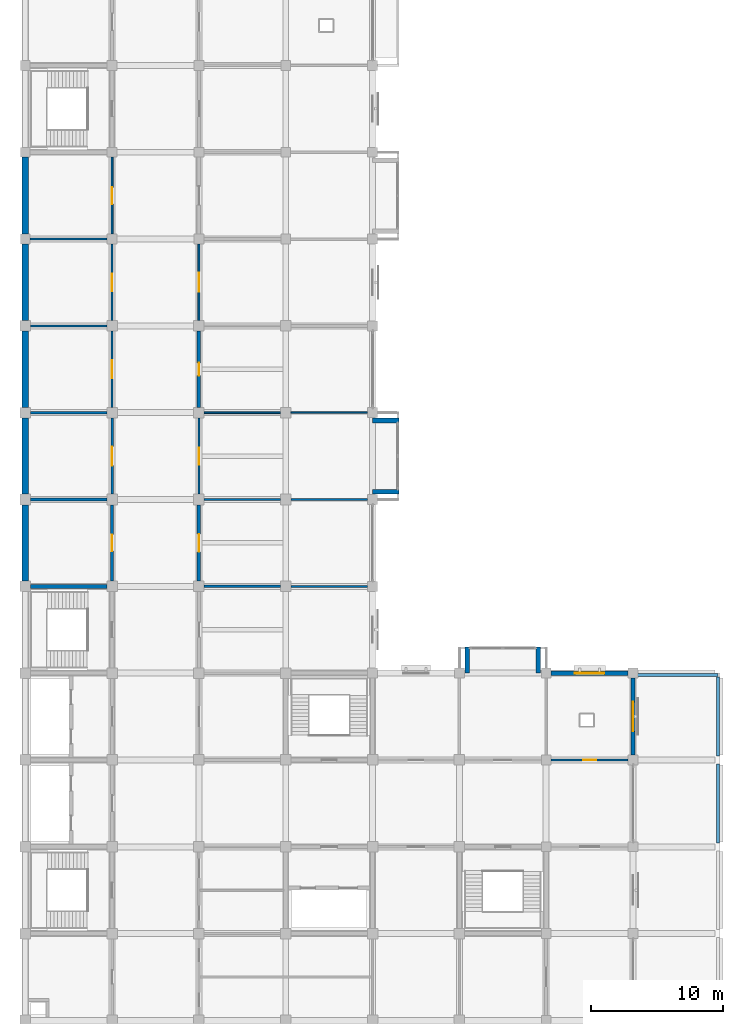
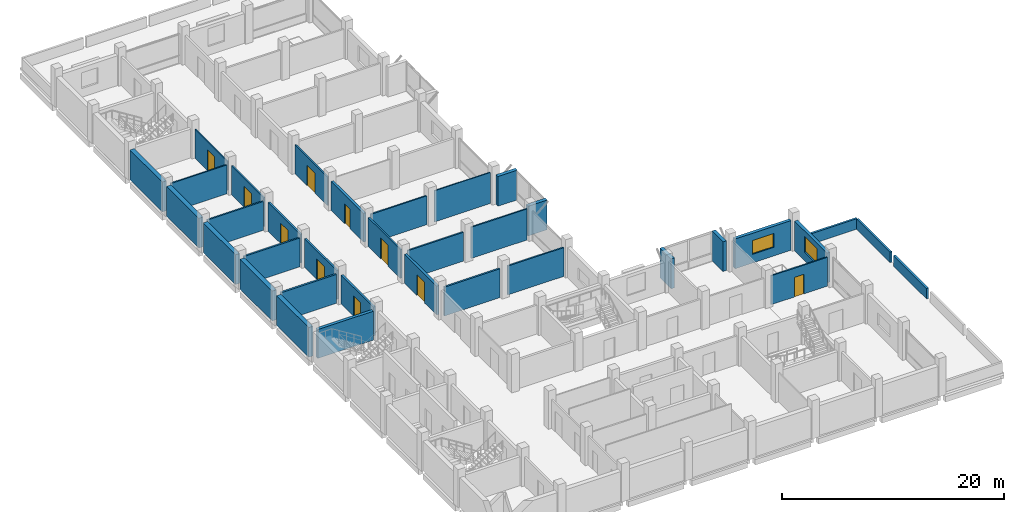
# One storey, part 10 of 15: 35 walls, 10 doors, 2 windows, 12 openings.
"""IFC4 building model written with IfcOpenShell, lengths in metres."""

from ifc_helpers import new_model, si_unit, direction, frame, frame_2d, origin, place, context, subcontext, project, spatial, rectangle, extrude, material, layer, layer_set, type_object, element, fill, save


model = new_model("IFC4")

# Units and contexts
model_context = context("Model", 3, precision=1e-05, world=origin(), true_north=direction((0.0, 1.0)))
body_context = subcontext(model_context, "Body", "Model", "MODEL_VIEW")
ifc_project = project(units=[si_unit("LENGTHUNIT", "METRE"), si_unit("AREAUNIT", "SQUARE_METRE"), si_unit("VOLUMEUNIT", "CUBIC_METRE"), si_unit("PLANEANGLEUNIT", "RADIAN"), si_unit("MASSUNIT", "GRAM", prefix="KILO")], contexts=[model_context])

# Site, building, storey
site_placement = place(None, origin())
site = spatial("IfcSite", under=ifc_project, at=site_placement, CompositionType="ELEMENT")
building_placement = place(site_placement, origin())
building = spatial("IfcBuilding", under=site, at=building_placement, Name="Rusizi Kubbe Research Institute", CompositionType="ELEMENT")
storey_placement = place(building_placement, frame((0.0, 0.0, 27.0)))
storey = spatial("IfcBuildingStorey", under=building, at=storey_placement, Name="L06", CompositionType="ELEMENT", Elevation=27.0)

# Walls
ifc_material_1 = material(Name="Concrete C45/55", Category="concrete")
ifc_layer_1 = layer(ifc_material_1, 0.31494140625)
ifc_layer_set_1 = layer_set([ifc_layer_1], Name="Concrete C45/55")
wall_type_1 = type_object("IfcWallType", Name="CRW-02", PredefinedType="SHEAR", material=ifc_layer_set_1)
wall_1_placement = place(storey_placement, frame((0.39990234375, 33.0, 0.0), z_axis=(0.0, 0.0, 1.0), x_axis=(1.0, 0.0, 0.0)))
element("IfcWall", 1, at=wall_1_placement, inside=storey, type_object=wall_type_1, Name="Stair Core Shear Wall ST2 L06 N", PredefinedType="SHEAR", context=body_context, shape_type="SweptSolid", body=[
    extrude(rectangle(XDim=5.800048828125, YDim=0.31494140625, at=frame_2d((2.89990234375, 0.0))), origin(), (0.0, 0.0, 1.0), 3.169921875),
])
ifc_material_2 = material(Name="Volcanic Basalt Ashlar Masonry", Category="masonry")
ifc_layer_2 = layer(ifc_material_2, 0.35498046875)
ifc_layer_set_2 = layer_set([ifc_layer_2], Name="Volcanic Basalt Ashlar Masonry")
wall_type_2 = type_object("IfcWallType", Name="EW-06", PredefinedType="SOLIDWALL", material=ifc_layer_set_2)
for number, where, z_axis, x_axis, name in (
    (2, (26.39990234375, 40.199951171875, 0.0), (0.0, 0.0, 1.0), (1.0, 0.0, 0.0), "Cumba Return Wall S L06 (4,6)"),
    (3, (26.39990234375, 45.60009765625, 0.0), (0.0, 0.0, 1.0), (1.0, 0.0, 0.0), "Cumba Return Wall N L06 (4,6)"),
    (4, (33.60009765625, 26.39990234375, 0.0), (0.0, 0.0, 1.0), (0.0, 1.0, 0.0), "Cumba Return Wall W L06 (5,4)"),
    (5, (39.0, 26.39990234375, 0.0), (0.0, 0.0, 1.0), (0.0, 1.0, 0.0), "Cumba Return Wall E L06 (5,4)"),
):
    element("IfcWall", number, at=place(storey_placement, frame(where, z_axis=z_axis, x_axis=x_axis)), inside=storey, type_object=wall_type_2, Name=name, PredefinedType="SOLIDWALL", context=body_context, shape_type="SweptSolid", body=[
        extrude(rectangle(XDim=2.0, YDim=0.35498046875, at=frame_2d((1.0, 0.0))), origin(), (0.0, 0.0, 1.0), 3.27001953125),
    ])

# Wall, opening, window
ifc_material_3 = material(Name="Volcanic Basalt Ashlar Masonry", Category="masonry")
ifc_layer_3 = layer(ifc_material_3, 0.324951171875)
ifc_layer_set_3 = layer_set([ifc_layer_3], Name="Volcanic Basalt Ashlar Masonry")
wall_type_3 = type_object("IfcWallType", Name="EW-08", PredefinedType="SOLIDWALL", material=ifc_layer_set_3)
wall_2_placement = place(storey_placement, frame((39.97509765625, 26.39990234375, 0.0), z_axis=(0.0, 0.0, 1.0), x_axis=(1.0, 0.0, 0.0)))
wall_2 = element("IfcWall", 6, at=wall_2_placement, inside=storey, type_object=wall_type_3, Name="Ablaq Stone Exterior Wall L06 H6-4", PredefinedType="SOLIDWALL", context=body_context, shape_type="SweptSolid", body=[
    extrude(rectangle(XDim=5.849853515625, YDim=0.324951171875, at=frame_2d((2.9248046875, 0.0))), origin(), (0.0, 0.0, 1.0), 3.27001953125),
])
opening_1_placement = place(wall_2_placement, frame((1.804931640625, 0.0, 0.949951171875)))
opening_1 = element("IfcOpeningElement", 7, at=opening_1_placement, cuts=wall_2, Name="Opening WN-30", PredefinedType="OPENING", context=body_context, shape_type="SweptSolid", body=[
    extrude(rectangle(XDim=2.239990234375, YDim=1.52001953125, at=frame_2d((1.1201171875, 0.760009765625))), frame((0.0, 0.17236328125, 0.0), z_axis=(0.0, -1.0, 0.0), x_axis=(1.0, 0.0, 0.0)), (0.0, 0.0, 1.0), 0.344970703125),
])
ifc_material_4 = material(Name="Aluminium Frame and Solar-Control Double Glazing", Category="glass")
window_type_1 = type_object("IfcWindowType", Name="WN-30", PartitioningType="DOUBLE_PANEL_VERTICAL", PredefinedType="WINDOW", material=ifc_material_4)
window_1_placement = place(opening_1_placement, origin())
window_1 = element("IfcWindow", 8, at=window_1_placement, inside=storey, type_object=window_type_1, Name="Casement Window WN-30 L06", OverallHeight=1.52001953125, OverallWidth=2.239990234375, PartitioningType="DOUBLE_PANEL_VERTICAL", PredefinedType="WINDOW", context=body_context, shape_type="SweptSolid", body=[
    extrude(rectangle(XDim=2.239990234375, YDim=1.52001953125, at=frame_2d((1.1201171875, 0.760009765625))), frame((0.0, 0.030029296875, 0.0), z_axis=(0.0, -1.0, 0.0), x_axis=(1.0, 0.0, 0.0)), (0.0, 0.0, 1.0), 0.06005859375),
])
fill(opening_1, window_1)

wall_3_placement = place(storey_placement, frame((46.199951171875, 20.175048828125, 0.0), z_axis=(0.0, 0.0, 1.0), x_axis=(0.0, 1.0, 0.0)))
wall_3 = element("IfcWall", 9, at=wall_3_placement, inside=storey, type_object=wall_type_3, Name="Ablaq Stone Exterior Wall L06 V7-3", PredefinedType="SOLIDWALL", context=body_context, shape_type="SweptSolid", body=[
    extrude(rectangle(XDim=5.849853515625, YDim=0.324951171875, at=frame_2d((2.9248046875, 0.0))), origin(), (0.0, 0.0, 1.0), 3.27001953125),
])
opening_2_placement = place(wall_3_placement, frame((1.804931640625, 0.0, 0.949951171875)))
opening_2 = element("IfcOpeningElement", 10, at=opening_2_placement, cuts=wall_3, Name="Opening WN-31", PredefinedType="OPENING", context=body_context, shape_type="SweptSolid", body=[
    extrude(rectangle(XDim=2.239990234375, YDim=1.739990234375, at=frame_2d((1.1201171875, 0.8701171875))), frame((0.0, 0.17236328125, 0.0), z_axis=(0.0, -1.0, 0.0), x_axis=(1.0, 0.0, 0.0)), (0.0, 0.0, 1.0), 0.344970703125),
])
ifc_material_5 = material(Name="Aluminium Frame and Solar-Control Double Glazing", Category="glass")
window_type_2 = type_object("IfcWindowType", Name="WN-31", PartitioningType="DOUBLE_PANEL_VERTICAL", PredefinedType="WINDOW", material=ifc_material_5)
window_2_placement = place(opening_2_placement, origin())
window_2 = element("IfcWindow", 11, at=window_2_placement, inside=storey, type_object=window_type_2, Name="Casement Window WN-31 L06", OverallHeight=1.739990234375, OverallWidth=2.239990234375, PartitioningType="DOUBLE_PANEL_VERTICAL", PredefinedType="WINDOW", context=body_context, shape_type="SweptSolid", body=[
    extrude(rectangle(XDim=2.239990234375, YDim=1.739990234375, at=frame_2d((1.1201171875, 0.8701171875))), frame((0.0, 0.030029296875, 0.0), z_axis=(0.0, -1.0, 0.0), x_axis=(1.0, 0.0, 0.0)), (0.0, 0.0, 1.0), 0.06005859375),
])
fill(opening_2, window_2)

# Wall, opening, door
ifc_material_6 = material(Name="Concrete Blockwork Fire Partition", Category="masonry")
ifc_layer_4 = layer(ifc_material_6, 0.22509765625)
ifc_layer_set_4 = layer_set([ifc_layer_4], Name="Concrete Blockwork Fire Partition")
wall_type_4 = type_object("IfcWallType", Name="IW-01", PredefinedType="PARTITIONING", material=ifc_layer_set_4)
wall_4_placement = place(storey_placement, frame((6.60009765625, 33.39990234375, 0.0), z_axis=(0.0, 0.0, 1.0), x_axis=(0.0, 1.0, 0.0)))
wall_4 = element("IfcWall", 12, at=wall_4_placement, inside=storey, type_object=wall_type_4, Name="Interior Partition Wall L06 V1-5", PredefinedType="PARTITIONING", context=body_context, shape_type="SweptSolid", body=[
    extrude(rectangle(XDim=5.800048828125, YDim=0.22509765625, at=frame_2d((2.89990234375, 0.0))), origin(), (0.0, 0.0, 1.0), 3.169921875),
])
opening_3_placement = place(wall_4_placement, frame((2.27490234375, 0.0, 0.0)))
opening_3 = element("IfcOpeningElement", 13, at=opening_3_placement, cuts=wall_4, Name="Opening D-15", PredefinedType="OPENING", context=body_context, shape_type="SweptSolid", body=[
    extrude(rectangle(XDim=1.25, YDim=2.25, at=frame_2d((0.625, 1.125))), frame((0.0, 0.12255859375, 0.0), z_axis=(0.0, -1.0, 0.0), x_axis=(1.0, 0.0, 0.0)), (0.0, 0.0, 1.0), 0.2451171875),
])
ifc_material_7 = material(Name="Fire-Rated Steel Frame and Acoustic Timber Leaf", Category="wood")
door_type_1 = type_object("IfcDoorType", Name="ID-LAB-125", OperationType="NOTDEFINED", PredefinedType="DOOR", material=ifc_material_7)
door_1_placement = place(opening_3_placement, origin())
door_1 = element("IfcDoor", 14, at=door_1_placement, inside=storey, type_object=door_type_1, Name="Door to Clean Room Metrology Laboratory (L06-WSP-05)", OperationType="SINGLE_SWING_LEFT", OverallHeight=2.25, OverallWidth=1.25, PredefinedType="DOOR", context=body_context, shape_type="SweptSolid", body=[
    extrude(rectangle(XDim=1.25, YDim=2.25, at=frame_2d((0.625, 1.125))), frame((0.0, 0.02490234375, 0.0), z_axis=(0.0, -1.0, 0.0), x_axis=(1.0, 0.0, 0.0)), (0.0, 0.0, 1.0), 0.050048828125),
])
fill(opening_3, door_1)

# Wall
ifc_material_8 = material(Name="Insulated Cleanroom Partition", Category="masonry")
ifc_layer_5 = layer(ifc_material_8, 0.195068359375)
ifc_layer_set_5 = layer_set([ifc_layer_5], Name="Insulated Cleanroom Partition")
wall_type_5 = type_object("IfcWallType", Name="IW-02", PredefinedType="PARTITIONING", material=ifc_layer_set_5)
wall_5_placement = place(storey_placement, frame((0.39990234375, 39.60009765625, 0.0), z_axis=(0.0, 0.0, 1.0), x_axis=(1.0, 0.0, 0.0)))
element("IfcWall", 15, at=wall_5_placement, inside=storey, type_object=wall_type_5, Name="Interior Partition Wall L06 H0-6", PredefinedType="PARTITIONING", context=body_context, shape_type="SweptSolid", body=[
    extrude(rectangle(XDim=5.800048828125, YDim=0.195068359375, at=frame_2d((2.89990234375, 0.0))), origin(), (0.0, 0.0, 1.0), 3.169921875),
])

# Wall, opening, door
wall_6_placement = place(storey_placement, frame((6.60009765625, 40.0, 0.0), z_axis=(0.0, 0.0, 1.0), x_axis=(0.0, 1.0, 0.0)))
wall_6 = element("IfcWall", 16, at=wall_6_placement, inside=storey, type_object=wall_type_5, Name="Interior Partition Wall L06 V1-6", PredefinedType="PARTITIONING", context=body_context, shape_type="SweptSolid", body=[
    extrude(rectangle(XDim=5.800048828125, YDim=0.195068359375, at=frame_2d((2.89990234375, 0.0))), origin(), (0.0, 0.0, 1.0), 3.169921875),
])
opening_4_placement = place(wall_6_placement, frame((2.175048828125, 0.0, 0.0)))
opening_4 = element("IfcOpeningElement", 17, at=opening_4_placement, cuts=wall_6, Name="Opening D-11", PredefinedType="OPENING", context=body_context, shape_type="SweptSolid", body=[
    extrude(rectangle(XDim=1.449951171875, YDim=2.25, at=frame_2d((0.72509765625, 1.125))), frame((0.0, 0.107421875, 0.0), z_axis=(0.0, -1.0, 0.0), x_axis=(1.0, 0.0, 0.0)), (0.0, 0.0, 1.0), 0.215087890625),
])
ifc_material_9 = material(Name="Fire-Rated Steel Frame and Acoustic Timber Leaf", Category="wood")
door_type_2 = type_object("IfcDoorType", Name="ID-LAB-145", OperationType="NOTDEFINED", PredefinedType="DOOR", material=ifc_material_9)
door_2_placement = place(opening_4_placement, origin())
door_2 = element("IfcDoor", 18, at=door_2_placement, inside=storey, type_object=door_type_2, Name="Door to Service Spine Autoclave Room (L06-WSP-06)", OperationType="SINGLE_SWING_LEFT", OverallHeight=2.25, OverallWidth=1.449951171875, PredefinedType="DOOR", context=body_context, shape_type="SweptSolid", body=[
    extrude(rectangle(XDim=1.449951171875, YDim=2.25, at=frame_2d((0.72509765625, 1.125))), frame((0.0, 0.02490234375, 0.0), z_axis=(0.0, -1.0, 0.0), x_axis=(1.0, 0.0, 0.0)), (0.0, 0.0, 1.0), 0.050048828125),
])
fill(opening_4, door_2)

# Wall
ifc_material_10 = material(Name="Acoustic Laboratory Partition", Category="masonry")
ifc_layer_6 = layer(ifc_material_10, 0.175048828125)
ifc_layer_set_6 = layer_set([ifc_layer_6], Name="Acoustic Laboratory Partition")
wall_type_6 = type_object("IfcWallType", Name="IW-03", PredefinedType="PARTITIONING", material=ifc_layer_set_6)
wall_7_placement = place(storey_placement, frame((0.39990234375, 46.199951171875, 0.0), z_axis=(0.0, 0.0, 1.0), x_axis=(1.0, 0.0, 0.0)))
element("IfcWall", 19, at=wall_7_placement, inside=storey, type_object=wall_type_6, Name="Interior Partition Wall L06 H0-7", PredefinedType="PARTITIONING", context=body_context, shape_type="SweptSolid", body=[
    extrude(rectangle(XDim=5.800048828125, YDim=0.175048828125, at=frame_2d((2.89990234375, 0.0))), origin(), (0.0, 0.0, 1.0), 3.169921875),
])

# Wall, opening, door
wall_8_placement = place(storey_placement, frame((6.60009765625, 46.60009765625, 0.0), z_axis=(0.0, 0.0, 1.0), x_axis=(0.0, 1.0, 0.0)))
wall_8 = element("IfcWall", 20, at=wall_8_placement, inside=storey, type_object=wall_type_6, Name="Interior Partition Wall L06 V1-7", PredefinedType="PARTITIONING", context=body_context, shape_type="SweptSolid", body=[
    extrude(rectangle(XDim=5.7998046875, YDim=0.175048828125, at=frame_2d((2.89990234375, 0.0))), origin(), (0.0, 0.0, 1.0), 3.169921875),
])
opening_5_placement = place(wall_8_placement, frame((2.199951171875, 0.0, 0.0)))
opening_5 = element("IfcOpeningElement", 21, at=opening_5_placement, cuts=wall_8, Name="Opening D-12", PredefinedType="OPENING", context=body_context, shape_type="SweptSolid", body=[
    extrude(rectangle(XDim=1.39990234375, YDim=2.25, at=frame_2d((0.699951171875, 1.125))), frame((0.0, 0.097412109375, 0.0), z_axis=(0.0, -1.0, 0.0), x_axis=(1.0, 0.0, 0.0)), (0.0, 0.0, 1.0), 0.195068359375),
])
ifc_material_11 = material(Name="Fire-Rated Steel Frame and Acoustic Timber Leaf", Category="wood")
door_type_3 = type_object("IfcDoorType", Name="ID-LAB-140", OperationType="NOTDEFINED", PredefinedType="DOOR", material=ifc_material_11)
door_3_placement = place(opening_5_placement, origin())
door_3 = element("IfcDoor", 22, at=door_3_placement, inside=storey, type_object=door_type_3, Name="Door to Clean Room Metrology Laboratory (L06-WSP-07)", OperationType="SINGLE_SWING_RIGHT", OverallHeight=2.25, OverallWidth=1.39990234375, PredefinedType="DOOR", context=body_context, shape_type="SweptSolid", body=[
    extrude(rectangle(XDim=1.39990234375, YDim=2.25, at=frame_2d((0.699951171875, 1.125))), frame((0.0, 0.02490234375, 0.0), z_axis=(0.0, -1.0, 0.0), x_axis=(1.0, 0.0, 0.0)), (0.0, 0.0, 1.0), 0.050048828125),
])
fill(opening_5, door_3)

wall_9_placement = place(storey_placement, frame((13.199951171875, 40.0, 0.0), z_axis=(0.0, 0.0, 1.0), x_axis=(0.0, 1.0, 0.0)))
wall_9 = element("IfcWall", 23, at=wall_9_placement, inside=storey, type_object=wall_type_6, Name="Interior Partition Wall L06 V2-6", PredefinedType="PARTITIONING", context=body_context, shape_type="SweptSolid", body=[
    extrude(rectangle(XDim=5.800048828125, YDim=0.175048828125, at=frame_2d((2.89990234375, 0.0))), origin(), (0.0, 0.0, 1.0), 3.169921875),
])
opening_6_placement = place(wall_9_placement, frame((2.25, 0.0, 0.0)))
opening_6 = element("IfcOpeningElement", 24, at=opening_6_placement, cuts=wall_9, Name="Opening D-14", PredefinedType="OPENING", context=body_context, shape_type="SweptSolid", body=[
    extrude(rectangle(XDim=1.300048828125, YDim=2.300048828125, at=frame_2d((0.64990234375, 1.14990234375))), frame((0.0, 0.097412109375, 0.0), z_axis=(0.0, -1.0, 0.0), x_axis=(1.0, 0.0, 0.0)), (0.0, 0.0, 1.0), 0.195068359375),
])
ifc_material_12 = material(Name="Fire-Rated Steel Frame and Acoustic Timber Leaf", Category="wood")
door_type_4 = type_object("IfcDoorType", Name="ID-LAB-130", OperationType="NOTDEFINED", PredefinedType="DOOR", material=ifc_material_12)
door_4_placement = place(opening_6_placement, origin())
door_4 = element("IfcDoor", 25, at=door_4_placement, inside=storey, type_object=door_type_4, Name="Door to Computational Dry Laboratory (L06-NW-04)", OperationType="SINGLE_SWING_RIGHT", OverallHeight=2.300048828125, OverallWidth=1.300048828125, PredefinedType="DOOR", context=body_context, shape_type="SweptSolid", body=[
    extrude(rectangle(XDim=1.300048828125, YDim=2.300048828125, at=frame_2d((0.64990234375, 1.14990234375))), frame((0.0, 0.02490234375, 0.0), z_axis=(0.0, -1.0, 0.0), x_axis=(1.0, 0.0, 0.0)), (0.0, 0.0, 1.0), 0.050048828125),
])
fill(opening_6, door_4)

# Walls
wall_10_placement = place(storey_placement, frame((13.60009765625, 33.0, 0.0), z_axis=(0.0, 0.0, 1.0), x_axis=(1.0, 0.0, 0.0)))
element("IfcWall", 26, at=wall_10_placement, inside=storey, type_object=wall_type_6, Name="Interior Partition Wall L06 H2-5", PredefinedType="PARTITIONING", context=body_context, shape_type="SweptSolid", body=[
    extrude(rectangle(XDim=5.7998046875, YDim=0.175048828125, at=frame_2d((2.89990234375, 0.0))), origin(), (0.0, 0.0, 1.0), 3.169921875),
])
ifc_material_13 = material(Name="Fire-Rated Corridor Partition", Category="masonry")
ifc_layer_7 = layer(ifc_material_13, 0.155029296875)
ifc_layer_set_7 = layer_set([ifc_layer_7], Name="Fire-Rated Corridor Partition")
wall_type_7 = type_object("IfcWallType", Name="IW-04", PredefinedType="PARTITIONING", material=ifc_layer_set_7)
wall_11_placement = place(storey_placement, frame((0.39990234375, 52.800048828125, 0.0), z_axis=(0.0, 0.0, 1.0), x_axis=(1.0, 0.0, 0.0)))
element("IfcWall", 27, at=wall_11_placement, inside=storey, type_object=wall_type_7, Name="Interior Partition Wall L06 H0-8", PredefinedType="PARTITIONING", context=body_context, shape_type="SweptSolid", body=[
    extrude(rectangle(XDim=5.800048828125, YDim=0.155029296875, at=frame_2d((2.89990234375, 0.0))), origin(), (0.0, 0.0, 1.0), 3.169921875),
])

# Wall, opening, door
wall_12_placement = place(storey_placement, frame((6.60009765625, 53.199951171875, 0.0), z_axis=(0.0, 0.0, 1.0), x_axis=(0.0, 1.0, 0.0)))
wall_12 = element("IfcWall", 28, at=wall_12_placement, inside=storey, type_object=wall_type_7, Name="Interior Partition Wall L06 V1-8", PredefinedType="PARTITIONING", context=body_context, shape_type="SweptSolid", body=[
    extrude(rectangle(XDim=5.824951171875, YDim=0.155029296875, at=frame_2d((2.91259765625, 0.0))), origin(), (0.0, 0.0, 1.0), 3.169921875),
])
opening_7_placement = place(wall_12_placement, frame((2.22509765625, 0.0, 0.0)))
opening_7 = element("IfcOpeningElement", 29, at=opening_7_placement, cuts=wall_12, Name="Opening D-13", PredefinedType="OPENING", context=body_context, shape_type="SweptSolid", body=[
    extrude(rectangle(XDim=1.35009765625, YDim=2.300048828125, at=frame_2d((0.675048828125, 1.14990234375))), frame((0.0, 0.08740234375, 0.0), z_axis=(0.0, -1.0, 0.0), x_axis=(1.0, 0.0, 0.0)), (0.0, 0.0, 1.0), 0.175048828125),
])
ifc_material_14 = material(Name="Fire-Rated Steel Frame and Acoustic Timber Leaf", Category="wood")
door_type_5 = type_object("IfcDoorType", Name="ID-LAB-135", OperationType="NOTDEFINED", PredefinedType="DOOR", material=ifc_material_14)
door_5_placement = place(opening_7_placement, origin())
door_5 = element("IfcDoor", 30, at=door_5_placement, inside=storey, type_object=door_type_5, Name="Door to Service Spine Autoclave Room (L06-WSP-08)", OperationType="SINGLE_SWING_LEFT", OverallHeight=2.300048828125, OverallWidth=1.35009765625, PredefinedType="DOOR", context=body_context, shape_type="SweptSolid", body=[
    extrude(rectangle(XDim=1.35009765625, YDim=2.300048828125, at=frame_2d((0.675048828125, 1.14990234375))), frame((0.0, 0.02490234375, 0.0), z_axis=(0.0, -1.0, 0.0), x_axis=(1.0, 0.0, 0.0)), (0.0, 0.0, 1.0), 0.050048828125),
])
fill(opening_7, door_5)

# Walls
wall_13_placement = place(storey_placement, frame((13.60009765625, 39.60009765625, 0.0), z_axis=(0.0, 0.0, 1.0), x_axis=(1.0, 0.0, 0.0)))
element("IfcWall", 31, at=wall_13_placement, inside=storey, type_object=wall_type_7, Name="Interior Partition Wall L06 H2-6", PredefinedType="PARTITIONING", context=body_context, shape_type="SweptSolid", body=[
    extrude(rectangle(XDim=5.7998046875, YDim=0.155029296875, at=frame_2d((2.89990234375, 0.0))), origin(), (0.0, 0.0, 1.0), 3.169921875),
])
wall_14_placement = place(storey_placement, frame((20.199951171875, 33.0, 0.0), z_axis=(0.0, 0.0, 1.0), x_axis=(1.0, 0.0, 0.0)))
element("IfcWall", 32, at=wall_14_placement, inside=storey, type_object=wall_type_7, Name="Interior Partition Wall L06 H3-5", PredefinedType="PARTITIONING", context=body_context, shape_type="SweptSolid", body=[
    extrude(rectangle(XDim=5.824951171875, YDim=0.155029296875, at=frame_2d((2.91259765625, 0.0))), origin(), (0.0, 0.0, 1.0), 3.169921875),
])
ifc_material_15 = material(Name="Write-up Glazed Acoustic Partition", Category="masonry")
ifc_layer_8 = layer(ifc_material_15, 0.139892578125)
ifc_layer_set_8 = layer_set([ifc_layer_8], Name="Write-up Glazed Acoustic Partition")
wall_type_8 = type_object("IfcWallType", Name="IW-05", PredefinedType="PARTITIONING", material=ifc_layer_set_8)
wall_15_placement = place(storey_placement, frame((0.375, 59.39990234375, 0.0), z_axis=(0.0, 0.0, 1.0), x_axis=(1.0, 0.0, 0.0)))
element("IfcWall", 33, at=wall_15_placement, inside=storey, type_object=wall_type_8, Name="Interior Partition Wall L06 H0-9", PredefinedType="PARTITIONING", context=body_context, shape_type="SweptSolid", body=[
    extrude(rectangle(XDim=5.85009765625, YDim=0.139892578125, at=frame_2d((2.925048828125, 0.0))), origin(), (0.0, 0.0, 1.0), 3.169921875),
])

# Wall, opening, door
wall_16_placement = place(storey_placement, frame((6.60009765625, 59.77490234375, 0.0), z_axis=(0.0, 0.0, 1.0), x_axis=(0.0, 1.0, 0.0)))
wall_16 = element("IfcWall", 34, at=wall_16_placement, inside=storey, type_object=wall_type_8, Name="Interior Partition Wall L06 V1-9", PredefinedType="PARTITIONING", context=body_context, shape_type="SweptSolid", body=[
    extrude(rectangle(XDim=5.85009765625, YDim=0.139892578125, at=frame_2d((2.925048828125, 0.0))), origin(), (0.0, 0.0, 1.0), 3.169921875),
])
opening_8_placement = place(wall_16_placement, frame((2.27490234375, 0.0, 0.0)))
opening_8 = element("IfcOpeningElement", 35, at=opening_8_placement, cuts=wall_16, Name="Opening D-14", PredefinedType="OPENING", context=body_context, shape_type="SweptSolid", body=[
    extrude(rectangle(XDim=1.300048828125, YDim=2.300048828125, at=frame_2d((0.64990234375, 1.14990234375))), frame((0.0, 0.079833984375, 0.0), z_axis=(0.0, -1.0, 0.0), x_axis=(1.0, 0.0, 0.0)), (0.0, 0.0, 1.0), 0.159912109375),
])
door_6_placement = place(opening_8_placement, origin())
door_6 = element("IfcDoor", 36, at=door_6_placement, inside=storey, type_object=door_type_4, Name="Door to Clean Room Metrology Laboratory (L06-WSP-09)", OperationType="SINGLE_SWING_RIGHT", OverallHeight=2.300048828125, OverallWidth=1.300048828125, PredefinedType="DOOR", context=body_context, shape_type="SweptSolid", body=[
    extrude(rectangle(XDim=1.300048828125, YDim=2.300048828125, at=frame_2d((0.64990234375, 1.14990234375))), frame((0.0, 0.02490234375, 0.0), z_axis=(0.0, -1.0, 0.0), x_axis=(1.0, 0.0, 0.0)), (0.0, 0.0, 1.0), 0.050048828125),
])
fill(opening_8, door_6)

wall_17_placement = place(storey_placement, frame((13.199951171875, 53.199951171875, 0.0), z_axis=(0.0, 0.0, 1.0), x_axis=(0.0, 1.0, 0.0)))
wall_17 = element("IfcWall", 37, at=wall_17_placement, inside=storey, type_object=wall_type_8, Name="Interior Partition Wall L06 V2-8", PredefinedType="PARTITIONING", context=body_context, shape_type="SweptSolid", body=[
    extrude(rectangle(XDim=5.824951171875, YDim=0.139892578125, at=frame_2d((2.91259765625, 0.0))), origin(), (0.0, 0.0, 1.0), 3.169921875),
])
opening_9_placement = place(wall_17_placement, frame((2.175048828125, 0.0, 0.0)))
opening_9 = element("IfcOpeningElement", 38, at=opening_9_placement, cuts=wall_17, Name="Opening D-11", PredefinedType="OPENING", context=body_context, shape_type="SweptSolid", body=[
    extrude(rectangle(XDim=1.449951171875, YDim=2.25, at=frame_2d((0.72509765625, 1.125))), frame((0.0, 0.079833984375, 0.0), z_axis=(0.0, -1.0, 0.0), x_axis=(1.0, 0.0, 0.0)), (0.0, 0.0, 1.0), 0.159912109375),
])
door_7_placement = place(opening_9_placement, origin())
door_7 = element("IfcDoor", 39, at=door_7_placement, inside=storey, type_object=door_type_2, Name="Door to Bioscience Wet Laboratory (L06-NW-06)", OperationType="SINGLE_SWING_LEFT", OverallHeight=2.25, OverallWidth=1.449951171875, PredefinedType="DOOR", context=body_context, shape_type="SweptSolid", body=[
    extrude(rectangle(XDim=1.449951171875, YDim=2.25, at=frame_2d((0.72509765625, 1.125))), frame((0.0, 0.02490234375, 0.0), z_axis=(0.0, -1.0, 0.0), x_axis=(1.0, 0.0, 0.0)), (0.0, 0.0, 1.0), 0.050048828125),
])
fill(opening_9, door_7)

# Walls
wall_18_placement = place(storey_placement, frame((13.60009765625, 46.199951171875, 0.0), z_axis=(0.0, 0.0, 1.0), x_axis=(1.0, 0.0, 0.0)))
element("IfcWall", 40, at=wall_18_placement, inside=storey, type_object=wall_type_8, Name="Interior Partition Wall L06 H2-7", PredefinedType="PARTITIONING", context=body_context, shape_type="SweptSolid", body=[
    extrude(rectangle(XDim=5.7998046875, YDim=0.139892578125, at=frame_2d((2.89990234375, 0.0))), origin(), (0.0, 0.0, 1.0), 3.169921875),
])
wall_19_placement = place(storey_placement, frame((20.199951171875, 39.60009765625, 0.0), z_axis=(0.0, 0.0, 1.0), x_axis=(1.0, 0.0, 0.0)))
element("IfcWall", 41, at=wall_19_placement, inside=storey, type_object=wall_type_8, Name="Interior Partition Wall L06 H3-6", PredefinedType="PARTITIONING", context=body_context, shape_type="SweptSolid", body=[
    extrude(rectangle(XDim=5.824951171875, YDim=0.139892578125, at=frame_2d((2.91259765625, 0.0))), origin(), (0.0, 0.0, 1.0), 3.419921875),
])

# Wall, opening, door
wall_20_placement = place(storey_placement, frame((39.97509765625, 19.800048828125, 0.0), z_axis=(0.0, 0.0, 1.0), x_axis=(1.0, 0.0, 0.0)))
wall_20 = element("IfcWall", 42, at=wall_20_placement, inside=storey, type_object=wall_type_8, Name="Interior Partition Wall L06 H6-3", PredefinedType="PARTITIONING", context=body_context, shape_type="SweptSolid", body=[
    extrude(rectangle(XDim=5.849853515625, YDim=0.139892578125, at=frame_2d((2.9248046875, 0.0))), origin(), (0.0, 0.0, 1.0), 3.169921875),
])
opening_10_placement = place(wall_20_placement, frame((2.43505859375, 0.0, 0.0)))
opening_10 = element("IfcOpeningElement", 43, at=opening_10_placement, cuts=wall_20, Name="Opening D-20", PredefinedType="OPENING", context=body_context, shape_type="SweptSolid", body=[
    extrude(rectangle(XDim=0.97998046875, YDim=2.14990234375, at=frame_2d((0.489990234375, 1.074951171875))), frame((0.0, 0.079833984375, 0.0), z_axis=(0.0, -1.0, 0.0), x_axis=(1.0, 0.0, 0.0)), (0.0, 0.0, 1.0), 0.159912109375),
])
ifc_material_16 = material(Name="Fire-Rated Steel Frame and Acoustic Timber Leaf", Category="wood")
door_type_6 = type_object("IfcDoorType", Name="ID-OFF-980", OperationType="NOTDEFINED", PredefinedType="DOOR", material=ifc_material_16)
door_8_placement = place(opening_10_placement, origin())
door_8 = element("IfcDoor", 44, at=door_8_placement, inside=storey, type_object=door_type_6, Name="Door to Write-up Office (L06-EWN-03)", OperationType="SINGLE_SWING_LEFT", OverallHeight=2.14990234375, OverallWidth=0.97998046875, PredefinedType="DOOR", context=body_context, shape_type="SweptSolid", body=[
    extrude(rectangle(XDim=0.97998046875, YDim=2.14990234375, at=frame_2d((0.489990234375, 1.074951171875))), frame((0.0, 0.02490234375, 0.0), z_axis=(0.0, -1.0, 0.0), x_axis=(1.0, 0.0, 0.0)), (0.0, 0.0, 1.0), 0.050048828125),
])
fill(opening_10, door_8)

# Walls
ifc_material_17 = material(Name="Sub-Suite Fire Partition", Category="masonry")
ifc_layer_9 = layer(ifc_material_17, 0.110107421875)
ifc_layer_set_9 = layer_set([ifc_layer_9], Name="Sub-Suite Fire Partition")
wall_type_9 = type_object("IfcWallType", Name="IW-07", PredefinedType="PARTITIONING", material=ifc_layer_set_9)
wall_21_placement = place(storey_placement, frame((20.199951171875, 46.199951171875, 0.0), z_axis=(0.0, 0.0, 1.0), x_axis=(1.0, 0.0, 0.0)))
element("IfcWall", 45, at=wall_21_placement, inside=storey, type_object=wall_type_9, Name="Interior Partition Wall L06 H3-7", PredefinedType="PARTITIONING", context=body_context, shape_type="SweptSolid", body=[
    extrude(rectangle(XDim=5.824951171875, YDim=0.110107421875, at=frame_2d((2.91259765625, 0.0))), origin(), (0.0, 0.0, 1.0), 3.419921875),
])
ifc_material_18 = material(Name="Volcanic Basalt Ashlar Masonry", Category="masonry")
ifc_layer_10 = layer(ifc_material_18, 0.215087890625)
ifc_layer_set_10 = layer_set([ifc_layer_10], Name="Volcanic Basalt Ashlar Masonry")
wall_type_10 = type_object("IfcWallType", Name="PRP-02", PredefinedType="PARAPET", material=ifc_layer_set_10)
wall_22_placement = place(storey_placement, frame((52.659912109375, 13.5, 0.0), z_axis=(0.0, 0.0, 1.0), x_axis=(0.0, 1.0, 0.0)))
element("IfcWall", 46, at=wall_22_placement, inside=storey, type_object=wall_type_10, Name="Roof Parapet Wall L06-010", PredefinedType="PARAPET", context=body_context, shape_type="SweptSolid", body=[
    extrude(rectangle(XDim=6.0, YDim=0.215087890625, at=frame_2d((3.0, 0.0))), origin(), (0.0, 0.0, 1.0), 1.14990234375),
])
wall_23_placement = place(storey_placement, frame((46.340087890625, 26.260009765625, 0.0), z_axis=(0.0, 0.0, 1.0), x_axis=(1.0, 0.0, 0.0)))
element("IfcWall", 47, at=wall_23_placement, inside=storey, type_object=wall_type_10, Name="Roof Parapet Wall L06-011", PredefinedType="PARAPET", context=body_context, shape_type="SweptSolid", body=[
    extrude(rectangle(XDim=6.31982421875, YDim=0.215087890625, at=frame_2d((3.159912109375, 0.0))), origin(), (0.0, 0.0, 1.0), 1.14990234375),
])
wall_24_placement = place(storey_placement, frame((52.659912109375, 20.10009765625, 0.0), z_axis=(0.0, 0.0, 1.0), x_axis=(0.0, 1.0, 0.0)))
element("IfcWall", 48, at=wall_24_placement, inside=storey, type_object=wall_type_10, Name="Roof Parapet Wall L06-012", PredefinedType="PARAPET", context=body_context, shape_type="SweptSolid", body=[
    extrude(rectangle(XDim=6.0, YDim=0.215087890625, at=frame_2d((3.0, 0.0))), origin(), (0.0, 0.0, 1.0), 1.14990234375),
])
ifc_material_19 = material(Name="Concrete C40/50", Category="concrete")
ifc_layer_11 = layer(ifc_material_19, 0.4599609375)
ifc_layer_set_11 = layer_set([ifc_layer_11], Name="Concrete C40/50")
wall_type_11 = type_object("IfcWallType", Name="PW-02", PredefinedType="SOLIDWALL", material=ifc_layer_set_11)
for number, where, z_axis, x_axis, name in (
    (49, (0.0, 33.39990234375, 0.0), (0.0, 0.0, 1.0), (0.0, 1.0, 0.0), "Blind Party Wall L06 V0-5"),
    (50, (0.0, 40.0, 0.0), (0.0, 0.0, 1.0), (0.0, 1.0, 0.0), "Blind Party Wall L06 V0-6"),
):
    element("IfcWall", number, at=place(storey_placement, frame(where, z_axis=z_axis, x_axis=x_axis)), inside=storey, type_object=wall_type_11, Name=name, PredefinedType="SOLIDWALL", context=body_context, shape_type="SweptSolid", body=[
        extrude(rectangle(XDim=5.800048828125, YDim=0.4599609375, at=frame_2d((2.89990234375, 0.0))), origin(), (0.0, 0.0, 1.0), 3.27001953125),
    ])
wall_25_placement = place(storey_placement, frame((0.0, 46.60009765625, 0.0), z_axis=(0.0, 0.0, 1.0), x_axis=(0.0, 1.0, 0.0)))
element("IfcWall", 51, at=wall_25_placement, inside=storey, type_object=wall_type_11, Name="Blind Party Wall L06 V0-7", PredefinedType="SOLIDWALL", context=body_context, shape_type="SweptSolid", body=[
    extrude(rectangle(XDim=5.7998046875, YDim=0.4599609375, at=frame_2d((2.89990234375, 0.0))), origin(), (0.0, 0.0, 1.0), 3.27001953125),
])
wall_26_placement = place(storey_placement, frame((0.0, 53.199951171875, 0.0), z_axis=(0.0, 0.0, 1.0), x_axis=(0.0, 1.0, 0.0)))
element("IfcWall", 52, at=wall_26_placement, inside=storey, type_object=wall_type_11, Name="Blind Party Wall L06 V0-8", PredefinedType="SOLIDWALL", context=body_context, shape_type="SweptSolid", body=[
    extrude(rectangle(XDim=5.824951171875, YDim=0.4599609375, at=frame_2d((2.91259765625, 0.0))), origin(), (0.0, 0.0, 1.0), 3.27001953125),
])
wall_27_placement = place(storey_placement, frame((0.0, 59.77490234375, 0.0), z_axis=(0.0, 0.0, 1.0), x_axis=(0.0, 1.0, 0.0)))
element("IfcWall", 53, at=wall_27_placement, inside=storey, type_object=wall_type_11, Name="Blind Party Wall L06 V0-9", PredefinedType="SOLIDWALL", context=body_context, shape_type="SweptSolid", body=[
    extrude(rectangle(XDim=5.85009765625, YDim=0.4599609375, at=frame_2d((2.925048828125, 0.0))), origin(), (0.0, 0.0, 1.0), 3.27001953125),
])

# Wall, opening, door
ifc_material_20 = material(Name="Concrete C40/50", Category="concrete")
ifc_layer_12 = layer(ifc_material_20, 0.2548828125)
ifc_layer_set_12 = layer_set([ifc_layer_12], Name="Concrete C40/50")
wall_type_12 = type_object("IfcWallType", Name="SHW-02", PredefinedType="SHEAR", material=ifc_layer_set_12)
wall_28_placement = place(storey_placement, frame((13.199951171875, 33.39990234375, 0.0), z_axis=(0.0, 0.0, 1.0), x_axis=(0.0, 1.0, 0.0)))
wall_28 = element("IfcWall", 54, at=wall_28_placement, inside=storey, type_object=wall_type_12, Name="Interior Partition Wall L06 V2-5", PredefinedType="SHEAR", context=body_context, shape_type="SweptSolid", body=[
    extrude(rectangle(XDim=5.800048828125, YDim=0.2548828125, at=frame_2d((2.89990234375, 0.0))), origin(), (0.0, 0.0, 1.0), 3.169921875),
])
opening_11_placement = place(wall_28_placement, frame((2.22509765625, 0.0, 0.0)))
opening_11 = element("IfcOpeningElement", 55, at=opening_11_placement, cuts=wall_28, Name="Opening D-13", PredefinedType="OPENING", context=body_context, shape_type="SweptSolid", body=[
    extrude(rectangle(XDim=1.35009765625, YDim=2.300048828125, at=frame_2d((0.675048828125, 1.14990234375))), frame((0.0, 0.137451171875, 0.0), z_axis=(0.0, -1.0, 0.0), x_axis=(1.0, 0.0, 0.0)), (0.0, 0.0, 1.0), 0.27490234375),
])
door_9_placement = place(opening_11_placement, origin())
door_9 = element("IfcDoor", 56, at=door_9_placement, inside=storey, type_object=door_type_5, Name="Door to Bioscience Wet Laboratory (L06-NW-03)", OperationType="SINGLE_SWING_LEFT", OverallHeight=2.300048828125, OverallWidth=1.35009765625, PredefinedType="DOOR", context=body_context, shape_type="SweptSolid", body=[
    extrude(rectangle(XDim=1.35009765625, YDim=2.300048828125, at=frame_2d((0.675048828125, 1.14990234375))), frame((0.0, 0.02490234375, 0.0), z_axis=(0.0, -1.0, 0.0), x_axis=(1.0, 0.0, 0.0)), (0.0, 0.0, 1.0), 0.050048828125),
])
fill(opening_11, door_9)

wall_29_placement = place(storey_placement, frame((13.199951171875, 46.60009765625, 0.0), z_axis=(0.0, 0.0, 1.0), x_axis=(0.0, 1.0, 0.0)))
wall_29 = element("IfcWall", 57, at=wall_29_placement, inside=storey, type_object=wall_type_12, Name="Interior Partition Wall L06 V2-7", PredefinedType="SHEAR", context=body_context, shape_type="SweptSolid", body=[
    extrude(rectangle(XDim=5.7998046875, YDim=0.2548828125, at=frame_2d((2.89990234375, 0.0))), origin(), (0.0, 0.0, 1.0), 3.169921875),
])
opening_12_placement = place(wall_29_placement, frame((2.409912109375, 0.0, 0.0)))
opening_12 = element("IfcOpeningElement", 58, at=opening_12_placement, cuts=wall_29, Name="Opening D-20", PredefinedType="OPENING", context=body_context, shape_type="SweptSolid", body=[
    extrude(rectangle(XDim=0.97998046875, YDim=2.14990234375, at=frame_2d((0.489990234375, 1.074951171875))), frame((0.0, 0.137451171875, 0.0), z_axis=(0.0, -1.0, 0.0), x_axis=(1.0, 0.0, 0.0)), (0.0, 0.0, 1.0), 0.27490234375),
])
door_10_placement = place(opening_12_placement, origin())
door_10 = element("IfcDoor", 59, at=door_10_placement, inside=storey, type_object=door_type_6, Name="Door to Write-up Office (L06-NW-05)", OperationType="SINGLE_SWING_LEFT", OverallHeight=2.14990234375, OverallWidth=0.97998046875, PredefinedType="DOOR", context=body_context, shape_type="SweptSolid", body=[
    extrude(rectangle(XDim=0.97998046875, YDim=2.14990234375, at=frame_2d((0.489990234375, 1.074951171875))), frame((0.0, 0.02490234375, 0.0), z_axis=(0.0, -1.0, 0.0), x_axis=(1.0, 0.0, 0.0)), (0.0, 0.0, 1.0), 0.050048828125),
])
fill(opening_12, door_10)

save(model, "model.ifc")
